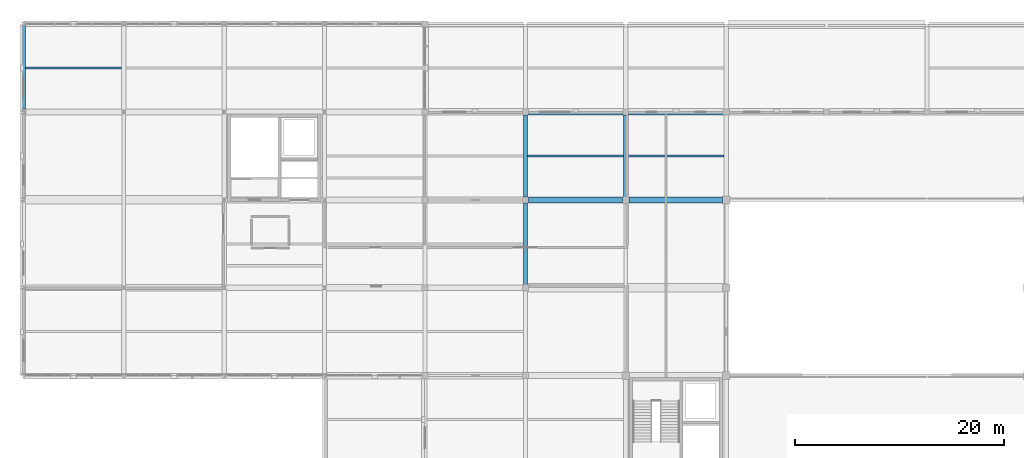
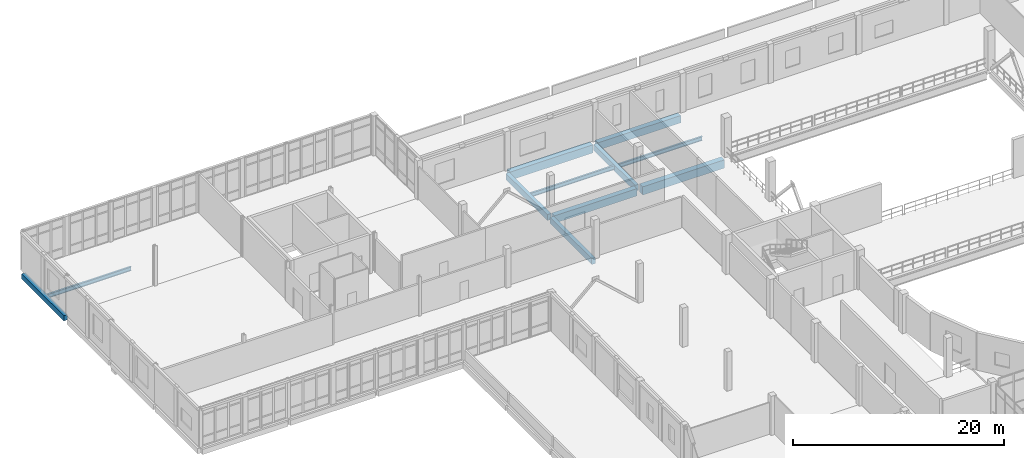
# One storey, part 49 of 88: 11 beams.
"""IFC4 building model written with IfcOpenShell, lengths in metres."""

from ifc_helpers import new_model, si_unit, direction, frame, origin, origin_2d, place, context, subcontext, project, spatial, rectangle, i_section, extrude, material, material_profile, profile_set, type_object, element, save


model = new_model("IFC4")

# Units and contexts
model_context = context("Model", 3, precision=1e-05, world=origin(), true_north=direction((0.0, 1.0)))
body_context = subcontext(model_context, "Body", "Model", "MODEL_VIEW")
ifc_project = project(units=[si_unit("LENGTHUNIT", "METRE"), si_unit("AREAUNIT", "SQUARE_METRE"), si_unit("VOLUMEUNIT", "CUBIC_METRE"), si_unit("PLANEANGLEUNIT", "RADIAN"), si_unit("MASSUNIT", "GRAM", prefix="KILO")], contexts=[model_context])

# Site, building, storey
site_placement = place(None, origin())
site = spatial("IfcSite", under=ifc_project, at=site_placement, CompositionType="ELEMENT")
building_placement = place(site_placement, origin())
building = spatial("IfcBuilding", under=site, at=building_placement, Name="Lornevale Opera House", CompositionType="ELEMENT")
storey_placement = place(building_placement, frame((0.0, 0.0, 10.199951171875)))
storey = spatial("IfcBuildingStorey", under=building, at=storey_placement, Name="L03", CompositionType="ELEMENT", Elevation=10.199951171875)

# Beams
ifc_material_1 = material(Name="Concrete 35 MPa (CSA A23.1 N)", Category="concrete")
ifc_material_profile_1 = material_profile(ifc_material_1, rectangle(XDim=0.39990234375, YDim=0.699951171875, at=origin_2d()), Name="RC400x700")
ifc_profile_set_1 = profile_set([ifc_material_profile_1], Name="Concrete 35 MPa (CSA A23.1 N)")
beam_type_1 = type_object("IfcBeamType", Name="Concrete Floor Beam 400x700", PredefinedType="USERDEFINED", material=ifc_profile_set_1)
for number, where, z_axis, x_axis, name in (
    (1, (48.0, 75.875, -0.6298828125), (0.0, 1.0, 0.0), (-1.0, 0.0, 0.0), "Concrete Floor Beam 400x700 2276"),
    (2, (48.0, 84.27490234375, -0.639892578125), (0.0, 1.0, 0.0), (-1.0, 0.0, 0.0), "Concrete Floor Beam 400x700 2277"),
):
    element("IfcBeam", number, at=place(storey_placement, frame(where, z_axis=z_axis, x_axis=x_axis)), inside=storey, type_object=beam_type_1, Name=name, ObjectType="GIRDER", PredefinedType="USERDEFINED", context=body_context, shape_type="SweptSolid", body=[
        extrude(rectangle(XDim=0.39990234375, YDim=0.699951171875, at=origin_2d()), origin(), (0.0, 0.0, 1.0), 7.85009765625),
    ])
beam_1_placement = place(storey_placement, frame((57.60009765625, 84.300048828125, -0.639892578125), z_axis=(0.0, 1.0, 0.0), x_axis=(-1.0, 0.0, 0.0)))
element("IfcBeam", 3, at=beam_1_placement, inside=storey, type_object=beam_type_1, Name="Concrete Floor Beam 400x700 2286", ObjectType="GIRDER", PredefinedType="USERDEFINED", context=body_context, shape_type="SweptSolid", body=[
    extrude(rectangle(XDim=0.39990234375, YDim=0.699951171875, at=origin_2d()), origin(), (0.0, 0.0, 1.0), 7.824951171875),
])
ifc_material_profile_2 = material_profile(ifc_material_1, rectangle(XDim=0.550048828125, YDim=0.85009765625, at=origin_2d()), Name="RC550x850")
ifc_profile_set_2 = profile_set([ifc_material_profile_2], Name="Concrete 35 MPa (CSA A23.1 N)")
beam_type_2 = type_object("IfcBeamType", Name="Concrete Primary Girder 550x850", PredefinedType="USERDEFINED", material=ifc_profile_set_2)
beam_2_placement = place(storey_placement, frame((48.27490234375, 84.0, -0.704833984375), z_axis=(1.0, 0.0, 0.0), x_axis=(0.0, 1.0, 0.0)))
element("IfcBeam", 4, at=beam_2_placement, inside=storey, type_object=beam_type_2, Name="Concrete Primary Girder 550x850 2193", ObjectType="GIRDER", PredefinedType="USERDEFINED", context=body_context, shape_type="SweptSolid", body=[
    extrude(rectangle(XDim=0.550048828125, YDim=0.85009765625, at=origin_2d()), origin(), (0.0, 0.0, 1.0), 9.025146484375),
])
beam_3_placement = place(storey_placement, frame((57.875, 92.39990234375, -0.71484375), z_axis=(1.0, 0.0, 0.0), x_axis=(0.0, 1.0, 0.0)))
element("IfcBeam", 5, at=beam_3_placement, inside=storey, type_object=beam_type_2, Name="Concrete Primary Girder 550x850 2207", ObjectType="GIRDER", PredefinedType="USERDEFINED", context=body_context, shape_type="SweptSolid", body=[
    extrude(rectangle(XDim=0.550048828125, YDim=0.85009765625, at=origin_2d()), origin(), (0.0, 0.0, 1.0), 9.050048828125),
])
ifc_material_profile_3 = material_profile(ifc_material_1, rectangle(XDim=0.60009765625, YDim=0.949951171875, at=origin_2d()), Name="RC600x950")
ifc_profile_set_3 = profile_set([ifc_material_profile_3], Name="Concrete 35 MPa (CSA A23.1 N)")
beam_type_3 = type_object("IfcBeamType", Name="Concrete Primary Girder 600x950", PredefinedType="USERDEFINED", material=ifc_profile_set_3)
beam_4_placement = place(storey_placement, frame((57.89990234375, 84.0, -0.7548828125), z_axis=(1.0, 0.0, 0.0), x_axis=(0.0, 1.0, 0.0)))
element("IfcBeam", 6, at=beam_4_placement, inside=storey, type_object=beam_type_3, Name="Concrete Primary Girder 600x950 2194", ObjectType="GIRDER", PredefinedType="USERDEFINED", context=body_context, shape_type="SweptSolid", body=[
    extrude(rectangle(XDim=0.60009765625, YDim=0.949951171875, at=origin_2d()), origin(), (0.0, 0.0, 1.0), 8.9501953125),
])
beam_5_placement = place(storey_placement, frame((48.27490234375, 92.39990234375, -0.764892578125), z_axis=(1.0, 0.0, 0.0), x_axis=(0.0, 1.0, 0.0)))
element("IfcBeam", 7, at=beam_5_placement, inside=storey, type_object=beam_type_3, Name="Concrete Primary Girder 600x950 2206", ObjectType="GIRDER", PredefinedType="USERDEFINED", context=body_context, shape_type="SweptSolid", body=[
    extrude(rectangle(XDim=0.60009765625, YDim=0.949951171875, at=origin_2d()), origin(), (0.0, 0.0, 1.0), 9.050048828125),
])
ifc_material_profile_4 = material_profile(ifc_material_1, rectangle(XDim=0.39990234375, YDim=0.60009765625, at=origin_2d()), Name="RC400x600")
ifc_profile_set_4 = profile_set([ifc_material_profile_4], Name="Concrete 35 MPa (CSA A23.1 N)")
beam_type_4 = type_object("IfcBeamType", Name="Concrete Spandrel Beam 400x600", PredefinedType="SPANDREL", material=ifc_profile_set_4)
beam_6_placement = place(storey_placement, frame((0.0, 92.675048828125, -0.579833984375), z_axis=(0.0, 1.0, 0.0), x_axis=(-1.0, 0.0, 0.0)))
element("IfcBeam", 8, at=beam_6_placement, inside=storey, type_object=beam_type_4, Name="Concrete Spandrel Beam 400x600 2232", PredefinedType="SPANDREL", context=body_context, shape_type="SweptSolid", body=[
    extrude(rectangle(XDim=0.39990234375, YDim=0.60009765625, at=origin_2d()), origin(), (0.0, 0.0, 1.0), 7.987548828125),
])
ifc_material_2 = material(Name="Structural Steel CSA G40.21 Grade 350W (350 MPa)", Category="steel")
ifc_material_profile_5 = material_profile(ifc_material_2, i_section(OverallWidth=0.19189453125, OverallDepth=0.462890625, WebThickness=0.010498046875, FlangeThickness=0.017578125, at=origin_2d()), Name="W460x89")
ifc_profile_set_5 = profile_set([ifc_material_profile_5], Name="Structural Steel CSA G40.21 Grade 350W (350 MPa)")
beam_type_5 = type_object("IfcBeamType", Name="Steel Floor Joist W460x89", PredefinedType="JOIST", material=ifc_profile_set_5)
for number, where, z_axis, x_axis, name in (
    (9, (0.199951171875, 96.60009765625, -0.5263671875), (1.0, 0.0, 0.0), (0.0, 1.0, 0.0), "Steel Floor Joist W460x89 2368"),
    (10, (48.199951171875, 88.199951171875, -0.536376953125), (1.0, 0.0, 0.0), (0.0, 1.0, 0.0), "Steel Floor Joist W460x89 2404"),
    (11, (57.800048828125, 88.199951171875, -0.536376953125), (1.0, 0.0, 0.0), (0.0, 1.0, 0.0), "Steel Floor Joist W460x89 2410"),
):
    element("IfcBeam", number, at=place(storey_placement, frame(where, z_axis=z_axis, x_axis=x_axis)), inside=storey, type_object=beam_type_5, Name=name, PredefinedType="JOIST", context=body_context, shape_type="SweptSolid", body=[
        extrude(i_section(OverallWidth=0.19189453125, OverallDepth=0.462890625, WebThickness=0.010498046875, FlangeThickness=0.017578125, at=origin_2d()), origin(), (0.0, 0.0, 1.0), 9.199951171875),
    ])

save(model, "model.ifc")
